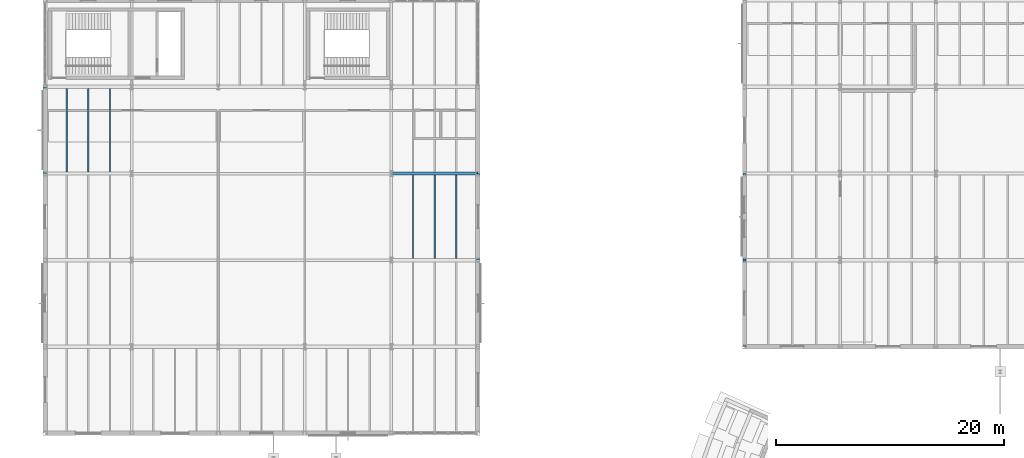
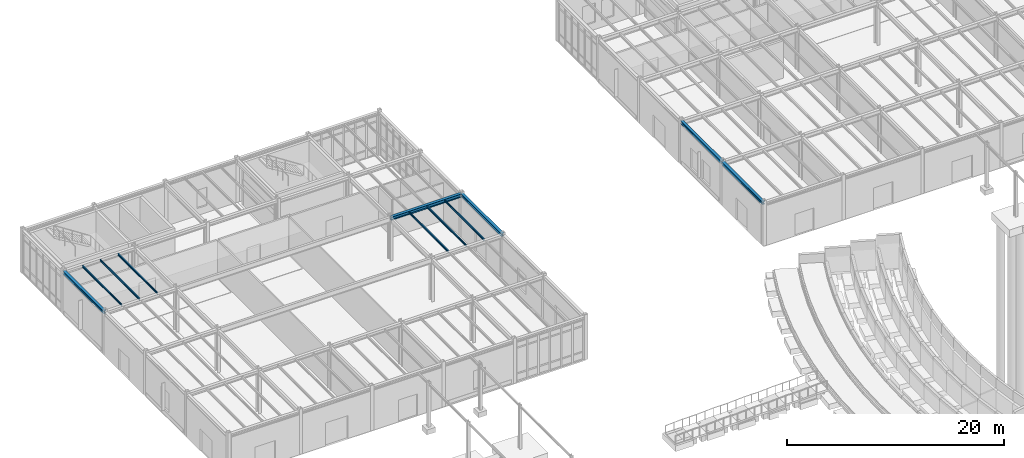
# One storey, part 50 of 109: 11 beams.
"""IFC4 building model written with IfcOpenShell, lengths in metres."""

import ifcopenshell
import ifcopenshell.guid

model = None  # the IFC model being written
_history = None  # IfcOwnerHistory: only IFC2X3 demands one
_inside = {}  # id of a spatial element -> (the spatial element, [elements in it])
_under = {}  # id of a project, library or spatial element -> (it, [spatial elements below it])
_declared = {}  # id of a project -> (the project, [libraries it declares])
_typed = {}  # id of a type object -> (the type object, [elements of that type])
_made_of = {}  # id of a material, layer set ... -> (it, [elements and type objects made of it])


def new_model(schema):
    """Start an empty IFC model of exactly this schema.

    Asked for "IFC4X3", IfcOpenShell would pick the latest addendum, in which some entities
    have other attributes; the version numbers below select the first issue.
    IFC2X3 requires an IfcOwnerHistory on every rooted entity: one is made here for all.
    """
    global model, _history
    if schema == "IFC4X3":
        model = ifcopenshell.file(schema_version=(4, 3, 0, 0))
    else:
        model = ifcopenshell.file(schema=schema)
    _inside.clear()
    _under.clear()
    _declared.clear()
    _typed.clear()
    _made_of.clear()
    _history = None
    if model.schema == "IFC2X3":
        org = make("IfcOrganization", Name="unknown")
        user = make(
            "IfcPersonAndOrganization",
            ThePerson=make("IfcPerson", FamilyName="unknown"),
            TheOrganization=org,
        )
        app = make(
            "IfcApplication",
            ApplicationDeveloper=org,
            Version="unknown",
            ApplicationFullName="unknown",
            ApplicationIdentifier="unknown",
        )
        _history = make(
            "IfcOwnerHistory",
            OwningUser=user,
            OwningApplication=app,
            ChangeAction="ADDED",
            CreationDate=0,
        )
    return model


def make(cls, **values):
    """One entity of the class cls with the attributes given. An attribute that is None is left unset."""
    return model.create_entity(
        cls, **{name: value for name, value in values.items() if value is not None}
    )


def rooted(cls, **values):
    """An entity with a GlobalId (a new one), such as an element, a storey or a relation."""
    return make(cls, GlobalId=ifcopenshell.guid.new(), OwnerHistory=_history, **values)


def si_unit(unit_type, name, prefix=None):
    """IfcSIUnit, for example si_unit("LENGTHUNIT", "METRE", prefix="MILLI")."""
    return make("IfcSIUnit", UnitType=unit_type, Prefix=prefix, Name=name)


def assignment(units):
    """IfcUnitAssignment: the units of a project."""
    return None if units is None else make("IfcUnitAssignment", Units=units)


def point(xyz):
    """IfcCartesianPoint."""
    return None if xyz is None else make("IfcCartesianPoint", Coordinates=xyz)


def direction(xyz):
    """IfcDirection."""
    return None if xyz is None else make("IfcDirection", DirectionRatios=xyz)


def frame(location, z_axis=None, x_axis=None):
    """IfcAxis2Placement3D, a coordinate frame: its origin and axes. An axis left out is left unset."""
    return make(
        "IfcAxis2Placement3D",
        Location=point(location),
        Axis=direction(z_axis),
        RefDirection=direction(x_axis),
    )


def frame_2d(location, x_axis=None):
    """IfcAxis2Placement2D, a coordinate frame in the plane: its origin and x axis."""
    return make(
        "IfcAxis2Placement2D", Location=point(location), RefDirection=direction(x_axis)
    )


def origin():
    """The frame at (0, 0, 0) with its axes left unset."""
    return frame((0.0, 0.0, 0.0))


def origin_2d():
    """The frame at (0, 0) in the plane with its x axis left unset."""
    return frame_2d((0.0, 0.0))


def place(relative_to, where):
    """IfcLocalPlacement: puts the frame where relative to a parent placement (None: the world)."""
    return make(
        "IfcLocalPlacement", PlacementRelTo=relative_to, RelativePlacement=where
    )


def context(
    kind, dimensions, precision=None, world=None, true_north=None, identifier=None
):
    """IfcGeometricRepresentationContext, for example the 3D "Model" context."""
    return make(
        "IfcGeometricRepresentationContext",
        ContextIdentifier=identifier,
        ContextType=kind,
        CoordinateSpaceDimension=dimensions,
        Precision=precision,
        WorldCoordinateSystem=world,
        TrueNorth=true_north,
    )


def subcontext(parent, identifier, kind, view, scale=None):
    """IfcGeometricRepresentationSubContext, for example "Body" below "Model"."""
    return make(
        "IfcGeometricRepresentationSubContext",
        ContextIdentifier=identifier,
        ContextType=kind,
        ParentContext=parent,
        TargetScale=scale,
        TargetView=view,
    )


def project(units=None, contexts=None):
    """IfcProject with its units and contexts."""
    return rooted(
        "IfcProject",
        Name="project",
        RepresentationContexts=contexts,
        UnitsInContext=assignment(units),
    )


def spatial(cls, under=None, at=None, **own):
    """A site, building, storey or space (cls), placed at a placement, below another one or the project."""
    s = rooted(cls, ObjectPlacement=at, **own)
    if under is not None:
        _under.setdefault(under.id(), (under, []))[1].append(s)
    return s


def profile(cls, at=None, kind="AREA", **sizes):
    """A parametric profile (cls). Its sizes go by their IFC names, for example OverallWidth=200.0."""
    return make(cls, ProfileType=kind, Position=at, **sizes)


def i_section(**sizes):
    """IfcIShapeProfileDef."""
    return profile("IfcIShapeProfileDef", **sizes)


def extrude(swept, where, along, depth):
    """IfcExtrudedAreaSolid: the profile swept, set in the frame where, extruded along a direction by depth."""
    return make(
        "IfcExtrudedAreaSolid",
        SweptArea=swept,
        Position=where,
        ExtrudedDirection=direction(along),
        Depth=depth,
    )


def shape(context_of_items, identifier, shape_type, items):
    """IfcShapeRepresentation: the items that make up one representation, for example the "Body"."""
    return make(
        "IfcShapeRepresentation",
        ContextOfItems=context_of_items,
        RepresentationIdentifier=identifier,
        RepresentationType=shape_type,
        Items=items,
    )


def material(Name=None, Category=None):
    """IfcMaterial."""
    return make("IfcMaterial", Name=Name, Category=Category)


def material_profile(
    of_material, cross_section, Name=None, Category=None, Priority=None
):
    """IfcMaterialProfile: a cross section and its material."""
    return make(
        "IfcMaterialProfile",
        Name=Name,
        Material=of_material,
        Profile=cross_section,
        Priority=Priority,
        Category=Category,
    )


def profile_set(profiles, Name=None, composite=None):
    """IfcMaterialProfileSet."""
    return make(
        "IfcMaterialProfileSet",
        Name=Name,
        MaterialProfiles=profiles,
        CompositeProfile=composite,
    )


def made_of(thing, what):
    """Note that an element or type object is made of a material, layer set ...; save() writes the relation."""
    if what is not None:
        _made_of.setdefault(what.id(), (what, []))[1].append(thing)
    return thing


def type_object(cls, material=None, **own):
    """A type object (cls), such as IfcWallType, which elements share."""
    return made_of(rooted(cls, **own), material)


def element(
    cls,
    number,
    at=None,
    inside=None,
    cuts=None,
    type_object=None,
    material=None,
    context=None,
    identifier="Body",
    shape_type=None,
    held_by="IfcProductDefinitionShape",
    body=None,
    shapes=None,
    **own,
):
    """One element of the class cls, such as IfcWall. Its Tag is "e" and its number.

    at: its placement. inside: the storey or other place that contains it. cuts: it is an
    opening in that element (IfcRelVoidsElement). A single representation is given by context,
    identifier, shape_type and body (its items); several are given by shapes. held_by: the class
    of the entity that holds the representations. save() writes the other relations.
    """
    e = rooted(cls, Tag="e%d" % number, ObjectPlacement=at, **own)
    if body is not None:
        shapes = [shape(context, identifier, shape_type, body)]
    if shapes is not None:
        e.Representation = make(held_by, Representations=shapes)
    if inside is not None:
        _inside.setdefault(inside.id(), (inside, []))[1].append(e)
    if cuts is not None:
        rooted(
            "IfcRelVoidsElement", RelatingBuildingElement=cuts, RelatedOpeningElement=e
        )
    if type_object is not None:
        _typed.setdefault(type_object.id(), (type_object, []))[1].append(e)
    return made_of(e, material)


def aggregate(whole, parts):
    """IfcRelAggregates: a whole, such as a stair, and the parts it consists of."""
    return rooted("IfcRelAggregates", RelatingObject=whole, RelatedObjects=parts)


def save(model, path):
    """Write the relations noted so far, then the file.

    IfcRelAggregates (storeys below a building ...), IfcRelContainedInSpatialStructure (elements
    in a storey), IfcRelDefinesByType, IfcRelAssociatesMaterial and IfcRelDeclares: one each for
    every whole, place, type object, material and project.
    """
    for whole, parts in _under.values():
        aggregate(whole, parts)
    for where, things in _inside.values():
        rooted(
            "IfcRelContainedInSpatialStructure",
            RelatedElements=things,
            RelatingStructure=where,
        )
    for kind, things in _typed.values():
        rooted("IfcRelDefinesByType", RelatedObjects=things, RelatingType=kind)
    for what, things in _made_of.values():
        rooted("IfcRelAssociatesMaterial", RelatedObjects=things, RelatingMaterial=what)
    for by, libraries in _declared.values():
        rooted("IfcRelDeclares", RelatingContext=by, RelatedDefinitions=libraries)
    model.write(path)


model = new_model("IFC4")

# Units and contexts
model_context = context("Model", 3, precision=1e-05, world=origin(), true_north=direction((0.0, 1.0)))
body_context = subcontext(model_context, "Body", "Model", "MODEL_VIEW")
ifc_project = project(units=[si_unit("LENGTHUNIT", "METRE"), si_unit("AREAUNIT", "SQUARE_METRE"), si_unit("VOLUMEUNIT", "CUBIC_METRE"), si_unit("PLANEANGLEUNIT", "RADIAN"), si_unit("MASSUNIT", "GRAM", prefix="KILO")], contexts=[model_context])

# Site, building, storey
site_placement = place(None, origin())
site = spatial("IfcSite", under=ifc_project, at=site_placement, CompositionType="ELEMENT")
building_placement = place(site_placement, origin())
building = spatial("IfcBuilding", under=site, at=building_placement, Name="Montecoro Central Library", CompositionType="ELEMENT")
storey_placement = place(building_placement, origin())
storey = spatial("IfcBuildingStorey", under=building, at=storey_placement, Name="L00", CompositionType="ELEMENT", Elevation=0.0)

# Beams
ifc_material = material(Name="Steel S355", Category="steel")
ifc_material_profile_1 = material_profile(ifc_material, i_section(OverallWidth=0.300048828125, OverallDepth=0.389892578125, WebThickness=0.010986328125, FlangeThickness=0.01904296875, at=origin_2d()), Name="HEA 400")
ifc_profile_set_1 = profile_set([ifc_material_profile_1], Name="Steel S355")
beam_type_1 = type_object("IfcBeamType", Name="BM-G-HEA400", PredefinedType="USERDEFINED", material=ifc_profile_set_1)
beam_1_placement = place(storey_placement, frame((35.405029296875, 96.199951171875, 4.64990234375), z_axis=(1.0, 0.0, 0.0), x_axis=(0.0, 1.0, 0.0)))
element("IfcBeam", 1, at=beam_1_placement, inside=storey, type_object=beam_type_1, Name="V4-L00-BX-56-N", ObjectType="GIRDER", PredefinedType="USERDEFINED", context=body_context, shape_type="SweptSolid", body=[
    extrude(i_section(OverallWidth=0.300048828125, OverallDepth=0.389892578125, WebThickness=0.010986328125, FlangeThickness=0.01904296875, at=origin_2d()), origin(), (0.0, 0.0, 1.0), 7.590087890625),
])
ifc_material_profile_2 = material_profile(ifc_material, i_section(OverallWidth=0.110107421875, OverallDepth=0.219970703125, WebThickness=0.005859375, FlangeThickness=0.00927734375, at=origin_2d()), Name="IPE 220")
ifc_profile_set_2 = profile_set([ifc_material_profile_2], Name="Steel S355")
beam_type_2 = type_object("IfcBeamType", Name="BM-J-IPE220", PredefinedType="JOIST", material=ifc_profile_set_2)
for number, where, z_axis, x_axis, name in (
    (2, (6.89990234375, 96.346923828125, 4.735107421875), (0.0, 1.0, 0.0), (-1.0, 0.0, 0.0), "V4-L00-JS-12-NP-1"),
    (3, (8.800048828125, 96.346923828125, 4.735107421875), (0.0, 1.0, 0.0), (-1.0, 0.0, 0.0), "V4-L00-JS-12-NP-2"),
    (4, (10.699951171875, 96.346923828125, 4.735107421875), (0.0, 1.0, 0.0), (-1.0, 0.0, 0.0), "V4-L00-JS-12-NP-3"),
):
    element("IfcBeam", number, at=place(storey_placement, frame(where, z_axis=z_axis, x_axis=x_axis)), inside=storey, type_object=beam_type_2, Name=name, PredefinedType="JOIST", context=body_context, shape_type="SweptSolid", body=[
        extrude(i_section(OverallWidth=0.110107421875, OverallDepth=0.219970703125, WebThickness=0.005859375, FlangeThickness=0.00927734375, at=origin_2d()), origin(), (0.0, 0.0, 1.0), 7.30615234375),
    ])
for number, where, z_axis, x_axis, name in (
    (5, (37.300048828125, 88.7470703125, 4.735107421875), (0.0, 1.0, 0.0), (-1.0, 0.0, 0.0), "V4-L00-JS-56-MN-1"),
    (6, (39.199951171875, 88.7470703125, 4.735107421875), (0.0, 1.0, 0.0), (-1.0, 0.0, 0.0), "V4-L00-JS-56-MN-2"),
    (7, (41.10009765625, 88.7470703125, 4.735107421875), (0.0, 1.0, 0.0), (-1.0, 0.0, 0.0), "V4-L00-JS-56-MN-3"),
):
    element("IfcBeam", number, at=place(storey_placement, frame(where, z_axis=z_axis, x_axis=x_axis)), inside=storey, type_object=beam_type_2, Name=name, PredefinedType="JOIST", context=body_context, shape_type="SweptSolid", body=[
        extrude(i_section(OverallWidth=0.110107421875, OverallDepth=0.219970703125, WebThickness=0.005859375, FlangeThickness=0.00927734375, at=origin_2d()), origin(), (0.0, 0.0, 1.0), 7.305908203125),
    ])
ifc_material_profile_3 = material_profile(ifc_material, i_section(OverallWidth=0.300048828125, OverallDepth=0.2900390625, WebThickness=0.008544921875, FlangeThickness=0.013916015625, at=origin_2d()), Name="HEA 300")
ifc_profile_set_3 = profile_set([ifc_material_profile_3], Name="Steel S355")
beam_type_3 = type_object("IfcBeamType", Name="BM-SP-HEA300", PredefinedType="SPANDREL", material=ifc_profile_set_3)
for number, where, z_axis, x_axis, name in (
    (8, (66.39990234375, 81.0048828125, 4.699951171875), (0.0, 1.0, 0.0), (-1.0, 0.0, 0.0), "V2-L00-BY-9-LM"),
    (9, (66.39990234375, 88.60498046875, 4.699951171875), (0.0, 1.0, 0.0), (-1.0, 0.0, 0.0), "V2-L00-BY-9-MN"),
):
    element("IfcBeam", number, at=place(storey_placement, frame(where, z_axis=z_axis, x_axis=x_axis)), inside=storey, type_object=beam_type_3, Name=name, PredefinedType="SPANDREL", context=body_context, shape_type="SweptSolid", body=[
        extrude(i_section(OverallWidth=0.300048828125, OverallDepth=0.2900390625, WebThickness=0.008544921875, FlangeThickness=0.013916015625, at=origin_2d()), origin(), (0.0, 0.0, 1.0), 7.590087890625),
    ])
beam_2_placement = place(storey_placement, frame((5.0, 96.205078125, 4.699951171875), z_axis=(0.0, 1.0, 0.0), x_axis=(-1.0, 0.0, 0.0)))
element("IfcBeam", 10, at=beam_2_placement, inside=storey, type_object=beam_type_3, Name="V4-L00-BY-1-NP", PredefinedType="SPANDREL", context=body_context, shape_type="SweptSolid", body=[
    extrude(i_section(OverallWidth=0.300048828125, OverallDepth=0.2900390625, WebThickness=0.008544921875, FlangeThickness=0.013916015625, at=origin_2d()), origin(), (0.0, 0.0, 1.0), 7.58984375),
])
beam_3_placement = place(storey_placement, frame((43.0, 88.60498046875, 4.699951171875), z_axis=(0.0, 1.0, 0.0), x_axis=(-1.0, 0.0, 0.0)))
element("IfcBeam", 11, at=beam_3_placement, inside=storey, type_object=beam_type_3, Name="V4-L00-BY-6-MN", PredefinedType="SPANDREL", context=body_context, shape_type="SweptSolid", body=[
    extrude(i_section(OverallWidth=0.300048828125, OverallDepth=0.2900390625, WebThickness=0.008544921875, FlangeThickness=0.013916015625, at=origin_2d()), origin(), (0.0, 0.0, 1.0), 7.590087890625),
])

save(model, "model.ifc")
